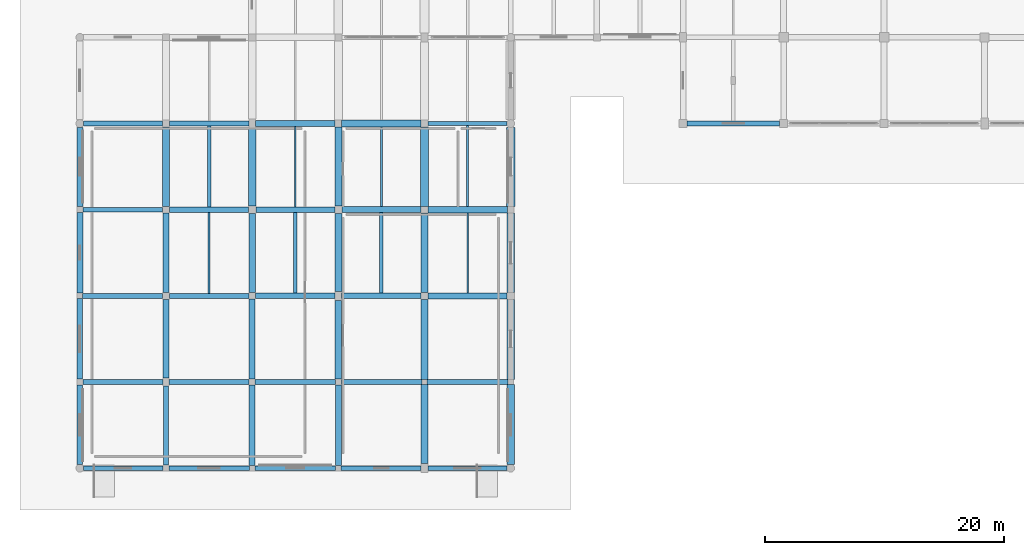
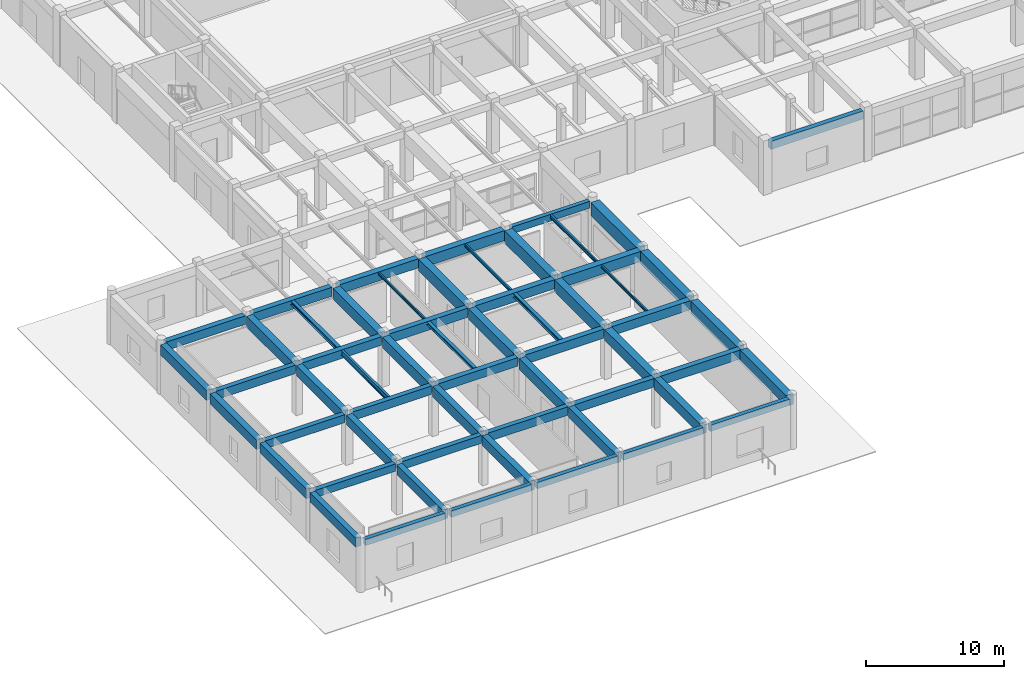
# One storey, part 4 of 72: 58 beams.
"""IFC4 building model written with IfcOpenShell, lengths in metres."""

from ifc_helpers import new_model, si_unit, direction, frame, origin, origin_2d, place, context, subcontext, project, spatial, rectangle, i_section, extrude, material, material_profile, profile_set, type_object, element, save


model = new_model("IFC4")

# Units and contexts
model_context = context("Model", 3, precision=1e-05, world=origin(), true_north=direction((0.0, 1.0)))
body_context = subcontext(model_context, "Body", "Model", "MODEL_VIEW")
ifc_project = project(units=[si_unit("LENGTHUNIT", "METRE"), si_unit("AREAUNIT", "SQUARE_METRE"), si_unit("VOLUMEUNIT", "CUBIC_METRE"), si_unit("PLANEANGLEUNIT", "RADIAN"), si_unit("MASSUNIT", "GRAM", prefix="KILO")], contexts=[model_context])

# Site, building, storey
site_placement = place(None, origin())
site = spatial("IfcSite", under=ifc_project, at=site_placement, CompositionType="ELEMENT")
building_placement = place(site_placement, origin())
building = spatial("IfcBuilding", under=site, at=building_placement, Name="Korsvaeld Concert Hall", CompositionType="ELEMENT")
storey_placement = place(building_placement, origin())
storey = spatial("IfcBuildingStorey", under=building, at=storey_placement, Name="L00", CompositionType="ELEMENT", Elevation=0.0)

# Beams
ifc_material_1 = material(Name="Concrete C35/45", Category="concrete")
ifc_material_profile_1 = material_profile(ifc_material_1, rectangle(XDim=0.35009765625, YDim=0.60009765625, at=origin_2d()), Name="RC 350x600")
ifc_profile_set_1 = profile_set([ifc_material_profile_1], Name="Concrete C35/45")
beam_type_1 = type_object("IfcBeamType", Name="BM-RC-350x600", PredefinedType="T_BEAM", material=ifc_profile_set_1)
beam_1_placement = place(storey_placement, frame((29.10009765625, 28.800048828125, 4.139892578125), z_axis=(1.0, 0.0, 0.0), x_axis=(0.0, 1.0, 0.0)))
element("IfcBeam", 1, at=beam_1_placement, inside=storey, type_object=beam_type_1, Name="Primary girder 5-6/E L00", PredefinedType="T_BEAM", context=body_context, shape_type="SweptSolid", body=[
    extrude(rectangle(XDim=0.35009765625, YDim=0.60009765625, at=origin_2d()), origin(), (0.0, 0.0, 1.0), 6.574951171875),
])
ifc_material_profile_2 = material_profile(ifc_material_1, rectangle(XDim=0.39990234375, YDim=0.64990234375, at=origin_2d()), Name="RC 400x650")
ifc_profile_set_2 = profile_set([ifc_material_profile_2], Name="Concrete C35/45")
beam_type_2 = type_object("IfcBeamType", Name="BM-RC-400x650", PredefinedType="T_BEAM", material=ifc_profile_set_2)
beam_2_placement = place(storey_placement, frame((0.25, 7.199951171875, 4.114990234375), z_axis=(1.0, 0.0, 0.0), x_axis=(0.0, 1.0, 0.0)))
element("IfcBeam", 2, at=beam_2_placement, inside=storey, type_object=beam_type_2, Name="Primary girder 1-2/B L00", PredefinedType="T_BEAM", context=body_context, shape_type="SweptSolid", body=[
    extrude(rectangle(XDim=0.39990234375, YDim=0.64990234375, at=origin_2d()), origin(), (0.0, 0.0, 1.0), 6.699951171875),
])
ifc_material_profile_3 = material_profile(ifc_material_1, rectangle(XDim=0.39990234375, YDim=0.699951171875, at=origin_2d()), Name="RC 400x700")
ifc_profile_set_3 = profile_set([ifc_material_profile_3], Name="Concrete C35/45")
beam_type_3 = type_object("IfcBeamType", Name="BM-RC-400x700", PredefinedType="T_BEAM", material=ifc_profile_set_3)
beam_3_placement = place(storey_placement, frame((7.449951171875, 7.199951171875, 4.090087890625), z_axis=(1.0, 0.0, 0.0), x_axis=(0.0, 1.0, 0.0)))
element("IfcBeam", 3, at=beam_3_placement, inside=storey, type_object=beam_type_3, Name="Primary girder 2-3/B L00", PredefinedType="T_BEAM", context=body_context, shape_type="SweptSolid", body=[
    extrude(rectangle(XDim=0.39990234375, YDim=0.699951171875, at=origin_2d()), origin(), (0.0, 0.0, 1.0), 6.699951171875),
])
beam_4_placement = place(storey_placement, frame((0.22509765625, 14.39990234375, 4.090087890625), z_axis=(1.0, 0.0, 0.0), x_axis=(0.0, 1.0, 0.0)))
element("IfcBeam", 4, at=beam_4_placement, inside=storey, type_object=beam_type_3, Name="Primary girder 1-2/C L00", PredefinedType="T_BEAM", context=body_context, shape_type="SweptSolid", body=[
    extrude(rectangle(XDim=0.39990234375, YDim=0.699951171875, at=origin_2d()), origin(), (0.0, 0.0, 1.0), 6.6748046875),
])
beam_5_placement = place(storey_placement, frame((50.75, 28.800048828125, 4.090087890625), z_axis=(1.0, 0.0, 0.0), x_axis=(0.0, 1.0, 0.0)))
element("IfcBeam", 5, at=beam_5_placement, inside=storey, type_object=beam_type_3, Name="Primary girder 8-9/E L00", PredefinedType="T_BEAM", context=body_context, shape_type="SweptSolid", body=[
    extrude(rectangle(XDim=0.39990234375, YDim=0.699951171875, at=origin_2d()), origin(), (0.0, 0.0, 1.0), 7.72509765625),
])
ifc_material_profile_4 = material_profile(ifc_material_1, rectangle(XDim=0.39990234375, YDim=0.75, at=origin_2d()), Name="RC 400x750")
ifc_profile_set_4 = profile_set([ifc_material_profile_4], Name="Concrete C35/45")
beam_type_4 = type_object("IfcBeamType", Name="BM-RC-400x750", PredefinedType="T_BEAM", material=ifc_profile_set_4)
beam_6_placement = place(storey_placement, frame((14.64990234375, 7.199951171875, 4.06494140625), z_axis=(1.0, 0.0, 0.0), x_axis=(0.0, 1.0, 0.0)))
element("IfcBeam", 6, at=beam_6_placement, inside=storey, type_object=beam_type_4, Name="Primary girder 3-4/B L00", PredefinedType="T_BEAM", context=body_context, shape_type="SweptSolid", body=[
    extrude(rectangle(XDim=0.39990234375, YDim=0.75, at=origin_2d()), origin(), (0.0, 0.0, 1.0), 6.7001953125),
])
beam_7_placement = place(storey_placement, frame((7.5, 14.39990234375, 4.06494140625), z_axis=(1.0, 0.0, 0.0), x_axis=(0.0, 1.0, 0.0)))
element("IfcBeam", 7, at=beam_7_placement, inside=storey, type_object=beam_type_4, Name="Primary girder 2-3/C L00", PredefinedType="T_BEAM", context=body_context, shape_type="SweptSolid", body=[
    extrude(rectangle(XDim=0.39990234375, YDim=0.75, at=origin_2d()), origin(), (0.0, 0.0, 1.0), 6.625),
])
beam_8_placement = place(storey_placement, frame((0.25, 21.60009765625, 4.06494140625), z_axis=(1.0, 0.0, 0.0), x_axis=(0.0, 1.0, 0.0)))
element("IfcBeam", 8, at=beam_8_placement, inside=storey, type_object=beam_type_4, Name="Primary girder 1-2/D L00", PredefinedType="T_BEAM", context=body_context, shape_type="SweptSolid", body=[
    extrude(rectangle(XDim=0.39990234375, YDim=0.75, at=origin_2d()), origin(), (0.0, 0.0, 1.0), 6.675048828125),
])
ifc_material_profile_5 = material_profile(ifc_material_1, rectangle(XDim=0.449951171875, YDim=0.75, at=origin_2d()), Name="RC 450x750")
ifc_profile_set_5 = profile_set([ifc_material_profile_5], Name="Concrete C35/45")
beam_type_5 = type_object("IfcBeamType", Name="BM-RC-450x750", PredefinedType="T_BEAM", material=ifc_profile_set_5)
beam_9_placement = place(storey_placement, frame((21.85009765625, 7.199951171875, 4.06494140625), z_axis=(1.0, 0.0, 0.0), x_axis=(0.0, 1.0, 0.0)))
element("IfcBeam", 9, at=beam_9_placement, inside=storey, type_object=beam_type_5, Name="Primary girder 4-5/B L00", PredefinedType="T_BEAM", context=body_context, shape_type="SweptSolid", body=[
    extrude(rectangle(XDim=0.449951171875, YDim=0.75, at=origin_2d()), origin(), (0.0, 0.0, 1.0), 6.724853515625),
])
beam_10_placement = place(storey_placement, frame((14.675048828125, 14.39990234375, 4.06494140625), z_axis=(1.0, 0.0, 0.0), x_axis=(0.0, 1.0, 0.0)))
element("IfcBeam", 10, at=beam_10_placement, inside=storey, type_object=beam_type_5, Name="Primary girder 3-4/C L00", PredefinedType="T_BEAM", context=body_context, shape_type="SweptSolid", body=[
    extrude(rectangle(XDim=0.449951171875, YDim=0.75, at=origin_2d()), origin(), (0.0, 0.0, 1.0), 6.64990234375),
])
beam_11_placement = place(storey_placement, frame((7.47509765625, 21.60009765625, 4.06494140625), z_axis=(1.0, 0.0, 0.0), x_axis=(0.0, 1.0, 0.0)))
element("IfcBeam", 11, at=beam_11_placement, inside=storey, type_object=beam_type_5, Name="Primary girder 2-3/D L00", PredefinedType="T_BEAM", context=body_context, shape_type="SweptSolid", body=[
    extrude(rectangle(XDim=0.449951171875, YDim=0.75, at=origin_2d()), origin(), (0.0, 0.0, 1.0), 6.625),
])
beam_12_placement = place(storey_placement, frame((0.324951171875, 28.800048828125, 4.06494140625), z_axis=(1.0, 0.0, 0.0), x_axis=(0.0, 1.0, 0.0)))
element("IfcBeam", 12, at=beam_12_placement, inside=storey, type_object=beam_type_5, Name="Primary girder 1-2/E L00", PredefinedType="T_BEAM", context=body_context, shape_type="SweptSolid", body=[
    extrude(rectangle(XDim=0.449951171875, YDim=0.75, at=origin_2d()), origin(), (0.0, 0.0, 1.0), 6.574951171875),
])
ifc_material_profile_6 = material_profile(ifc_material_1, rectangle(XDim=0.449951171875, YDim=0.800048828125, at=origin_2d()), Name="RC 450x800")
ifc_profile_set_6 = profile_set([ifc_material_profile_6], Name="Concrete C35/45")
beam_type_6 = type_object("IfcBeamType", Name="BM-RC-450x800", PredefinedType="T_BEAM", material=ifc_profile_set_6)
beam_13_placement = place(storey_placement, frame((29.02490234375, 7.199951171875, 4.0400390625), z_axis=(1.0, 0.0, 0.0), x_axis=(0.0, 1.0, 0.0)))
element("IfcBeam", 13, at=beam_13_placement, inside=storey, type_object=beam_type_6, Name="Primary girder 5-6/B L00", PredefinedType="T_BEAM", context=body_context, shape_type="SweptSolid", body=[
    extrude(rectangle(XDim=0.449951171875, YDim=0.800048828125, at=origin_2d()), origin(), (0.0, 0.0, 1.0), 6.75),
])
beam_14_placement = place(storey_placement, frame((21.875, 14.39990234375, 4.0400390625), z_axis=(1.0, 0.0, 0.0), x_axis=(0.0, 1.0, 0.0)))
element("IfcBeam", 14, at=beam_14_placement, inside=storey, type_object=beam_type_6, Name="Primary girder 4-5/C L00", PredefinedType="T_BEAM", context=body_context, shape_type="SweptSolid", body=[
    extrude(rectangle(XDim=0.449951171875, YDim=0.800048828125, at=origin_2d()), origin(), (0.0, 0.0, 1.0), 6.625),
])
beam_15_placement = place(storey_placement, frame((14.699951171875, 21.60009765625, 4.0400390625), z_axis=(1.0, 0.0, 0.0), x_axis=(0.0, 1.0, 0.0)))
element("IfcBeam", 15, at=beam_15_placement, inside=storey, type_object=beam_type_6, Name="Primary girder 3-4/D L00", PredefinedType="T_BEAM", context=body_context, shape_type="SweptSolid", body=[
    extrude(rectangle(XDim=0.449951171875, YDim=0.800048828125, at=origin_2d()), origin(), (0.0, 0.0, 1.0), 6.60009765625),
])
for number, where, z_axis, x_axis, name in (
    (16, (7.5, 28.800048828125, 4.0400390625), (1.0, 0.0, 0.0), (0.0, 1.0, 0.0), "Primary girder 2-3/E L00"),
    (17, (0.0, 0.324951171875, 4.0400390625), (0.0, 1.0, 0.0), (-1.0, 0.0, 0.0), "Primary girder 1/A-B L00"),
):
    element("IfcBeam", number, at=place(storey_placement, frame(where, z_axis=z_axis, x_axis=x_axis)), inside=storey, type_object=beam_type_6, Name=name, PredefinedType="T_BEAM", context=body_context, shape_type="SweptSolid", body=[
        extrude(rectangle(XDim=0.449951171875, YDim=0.800048828125, at=origin_2d()), origin(), (0.0, 0.0, 1.0), 6.625),
    ])
ifc_material_2 = material(Name="Concrete C40/50", Category="concrete")
ifc_material_profile_7 = material_profile(ifc_material_2, rectangle(XDim=0.449951171875, YDim=0.85009765625, at=origin_2d()), Name="RC 450x850")
ifc_profile_set_7 = profile_set([ifc_material_profile_7], Name="Concrete C40/50")
beam_type_7 = type_object("IfcBeamType", Name="BM-RC-450x850", PredefinedType="T_BEAM", material=ifc_profile_set_7)
beam_16_placement = place(storey_placement, frame((0.0, 7.449951171875, 4.014892578125), z_axis=(0.0, 1.0, 0.0), x_axis=(-1.0, 0.0, 0.0)))
element("IfcBeam", 18, at=beam_16_placement, inside=storey, type_object=beam_type_7, Name="Primary girder 1/B-C L00", PredefinedType="T_BEAM", context=body_context, shape_type="SweptSolid", body=[
    extrude(rectangle(XDim=0.449951171875, YDim=0.85009765625, at=origin_2d()), origin(), (0.0, 0.0, 1.0), 6.72509765625),
])
beam_17_placement = place(storey_placement, frame((7.199951171875, 0.25, 4.014892578125), z_axis=(0.0, 1.0, 0.0), x_axis=(-1.0, 0.0, 0.0)))
element("IfcBeam", 19, at=beam_17_placement, inside=storey, type_object=beam_type_7, Name="Primary girder 2/A-B L00", PredefinedType="T_BEAM", context=body_context, shape_type="SweptSolid", body=[
    extrude(rectangle(XDim=0.449951171875, YDim=0.85009765625, at=origin_2d()), origin(), (0.0, 0.0, 1.0), 6.60009765625),
])
ifc_material_profile_8 = material_profile(ifc_material_2, rectangle(XDim=0.5, YDim=0.800048828125, at=origin_2d()), Name="RC 500x800")
ifc_profile_set_8 = profile_set([ifc_material_profile_8], Name="Concrete C40/50")
beam_type_8 = type_object("IfcBeamType", Name="BM-RC-500x800", PredefinedType="T_BEAM", material=ifc_profile_set_8)
beam_18_placement = place(storey_placement, frame((29.10009765625, 14.39990234375, 4.0400390625), z_axis=(1.0, 0.0, 0.0), x_axis=(0.0, 1.0, 0.0)))
element("IfcBeam", 20, at=beam_18_placement, inside=storey, type_object=beam_type_8, Name="Primary girder 5-6/C L00", PredefinedType="T_BEAM", context=body_context, shape_type="SweptSolid", body=[
    extrude(rectangle(XDim=0.5, YDim=0.800048828125, at=origin_2d()), origin(), (0.0, 0.0, 1.0), 6.599853515625),
])
beam_19_placement = place(storey_placement, frame((21.89990234375, 21.60009765625, 4.0400390625), z_axis=(1.0, 0.0, 0.0), x_axis=(0.0, 1.0, 0.0)))
element("IfcBeam", 21, at=beam_19_placement, inside=storey, type_object=beam_type_8, Name="Primary girder 4-5/D L00", PredefinedType="T_BEAM", context=body_context, shape_type="SweptSolid", body=[
    extrude(rectangle(XDim=0.5, YDim=0.800048828125, at=origin_2d()), origin(), (0.0, 0.0, 1.0), 6.625),
])
beam_20_placement = place(storey_placement, frame((14.675048828125, 28.800048828125, 4.0400390625), z_axis=(1.0, 0.0, 0.0), x_axis=(0.0, 1.0, 0.0)))
element("IfcBeam", 22, at=beam_20_placement, inside=storey, type_object=beam_type_8, Name="Primary girder 3-4/E L00", PredefinedType="T_BEAM", context=body_context, shape_type="SweptSolid", body=[
    extrude(rectangle(XDim=0.5, YDim=0.800048828125, at=origin_2d()), origin(), (0.0, 0.0, 1.0), 6.64990234375),
])
ifc_material_profile_9 = material_profile(ifc_material_2, rectangle(XDim=0.5, YDim=0.85009765625, at=origin_2d()), Name="RC 500x850")
ifc_profile_set_9 = profile_set([ifc_material_profile_9], Name="Concrete C40/50")
beam_type_9 = type_object("IfcBeamType", Name="BM-RC-500x850", PredefinedType="T_BEAM", material=ifc_profile_set_9)
beam_21_placement = place(storey_placement, frame((0.0, 14.625, 4.014892578125), z_axis=(0.0, 1.0, 0.0), x_axis=(-1.0, 0.0, 0.0)))
element("IfcBeam", 23, at=beam_21_placement, inside=storey, type_object=beam_type_9, Name="Primary girder 1/C-D L00", PredefinedType="T_BEAM", context=body_context, shape_type="SweptSolid", body=[
    extrude(rectangle(XDim=0.5, YDim=0.85009765625, at=origin_2d()), origin(), (0.0, 0.0, 1.0), 6.72509765625),
])
beam_22_placement = place(storey_placement, frame((7.199951171875, 7.550048828125, 4.014892578125), z_axis=(0.0, 1.0, 0.0), x_axis=(-1.0, 0.0, 0.0)))
element("IfcBeam", 24, at=beam_22_placement, inside=storey, type_object=beam_type_9, Name="Primary girder 2/B-C L00", PredefinedType="T_BEAM", context=body_context, shape_type="SweptSolid", body=[
    extrude(rectangle(XDim=0.5, YDim=0.85009765625, at=origin_2d()), origin(), (0.0, 0.0, 1.0), 6.550048828125),
])
beam_23_placement = place(storey_placement, frame((14.39990234375, 0.22509765625, 4.014892578125), z_axis=(0.0, 1.0, 0.0), x_axis=(-1.0, 0.0, 0.0)))
element("IfcBeam", 25, at=beam_23_placement, inside=storey, type_object=beam_type_9, Name="Primary girder 3/A-B L00", PredefinedType="T_BEAM", context=body_context, shape_type="SweptSolid", body=[
    extrude(rectangle(XDim=0.5, YDim=0.85009765625, at=origin_2d()), origin(), (0.0, 0.0, 1.0), 6.724853515625),
])
ifc_material_profile_10 = material_profile(ifc_material_2, rectangle(XDim=0.5, YDim=0.89990234375, at=origin_2d()), Name="RC 500x900")
ifc_profile_set_10 = profile_set([ifc_material_profile_10], Name="Concrete C40/50")
beam_type_10 = type_object("IfcBeamType", Name="BM-RC-500x900", PredefinedType="T_BEAM", material=ifc_profile_set_10)
for number, where, z_axis, x_axis, name in (
    (26, (0.0, 21.85009765625, 3.989990234375), (0.0, 1.0, 0.0), (-1.0, 0.0, 0.0), "Primary girder 1/D-E L00"),
    (27, (7.199951171875, 14.699951171875, 3.989990234375), (0.0, 1.0, 0.0), (-1.0, 0.0, 0.0), "Primary girder 2/C-D L00"),
):
    element("IfcBeam", number, at=place(storey_placement, frame(where, z_axis=z_axis, x_axis=x_axis)), inside=storey, type_object=beam_type_10, Name=name, PredefinedType="T_BEAM", context=body_context, shape_type="SweptSolid", body=[
        extrude(rectangle(XDim=0.5, YDim=0.89990234375, at=origin_2d()), origin(), (0.0, 0.0, 1.0), 6.625),
    ])
beam_24_placement = place(storey_placement, frame((14.39990234375, 7.449951171875, 3.989990234375), z_axis=(0.0, 1.0, 0.0), x_axis=(-1.0, 0.0, 0.0)))
element("IfcBeam", 28, at=beam_24_placement, inside=storey, type_object=beam_type_10, Name="Primary girder 3/B-C L00", PredefinedType="T_BEAM", context=body_context, shape_type="SweptSolid", body=[
    extrude(rectangle(XDim=0.5, YDim=0.89990234375, at=origin_2d()), origin(), (0.0, 0.0, 1.0), 6.675048828125),
])
beam_25_placement = place(storey_placement, frame((21.60009765625, 0.22509765625, 3.989990234375), z_axis=(0.0, 1.0, 0.0), x_axis=(-1.0, 0.0, 0.0)))
element("IfcBeam", 29, at=beam_25_placement, inside=storey, type_object=beam_type_10, Name="Primary girder 4/A-B L00", PredefinedType="T_BEAM", context=body_context, shape_type="SweptSolid", body=[
    extrude(rectangle(XDim=0.5, YDim=0.89990234375, at=origin_2d()), origin(), (0.0, 0.0, 1.0), 6.724853515625),
])
ifc_material_profile_11 = material_profile(ifc_material_2, rectangle(XDim=0.550048828125, YDim=0.89990234375, at=origin_2d()), Name="RC 550x900")
ifc_profile_set_11 = profile_set([ifc_material_profile_11], Name="Concrete C40/50")
beam_type_11 = type_object("IfcBeamType", Name="BM-RC-550x900", PredefinedType="T_BEAM", material=ifc_profile_set_11)
beam_26_placement = place(storey_placement, frame((29.074951171875, 21.60009765625, 3.989990234375), z_axis=(1.0, 0.0, 0.0), x_axis=(0.0, 1.0, 0.0)))
element("IfcBeam", 30, at=beam_26_placement, inside=storey, type_object=beam_type_11, Name="Primary girder 5-6/D L00", PredefinedType="T_BEAM", context=body_context, shape_type="SweptSolid", body=[
    extrude(rectangle(XDim=0.550048828125, YDim=0.89990234375, at=origin_2d()), origin(), (0.0, 0.0, 1.0), 6.650146484375),
])
beam_27_placement = place(storey_placement, frame((21.875, 28.800048828125, 3.989990234375), z_axis=(1.0, 0.0, 0.0), x_axis=(0.0, 1.0, 0.0)))
element("IfcBeam", 31, at=beam_27_placement, inside=storey, type_object=beam_type_11, Name="Primary girder 4-5/E L00", PredefinedType="T_BEAM", context=body_context, shape_type="SweptSolid", body=[
    extrude(rectangle(XDim=0.550048828125, YDim=0.89990234375, at=origin_2d()), origin(), (0.0, 0.0, 1.0), 6.625),
])
ifc_material_profile_12 = material_profile(ifc_material_2, rectangle(XDim=0.550048828125, YDim=0.949951171875, at=origin_2d()), Name="RC 550x950")
ifc_profile_set_12 = profile_set([ifc_material_profile_12], Name="Concrete C40/50")
beam_type_12 = type_object("IfcBeamType", Name="BM-RC-550x950", PredefinedType="T_BEAM", material=ifc_profile_set_12)
for number, where, z_axis, x_axis, name in (
    (32, (7.199951171875, 21.875, 3.965087890625), (0.0, 1.0, 0.0), (-1.0, 0.0, 0.0), "Primary girder 2/D-E L00"),
    (33, (14.39990234375, 14.675048828125, 3.965087890625), (0.0, 1.0, 0.0), (-1.0, 0.0, 0.0), "Primary girder 3/C-D L00"),
):
    element("IfcBeam", number, at=place(storey_placement, frame(where, z_axis=z_axis, x_axis=x_axis)), inside=storey, type_object=beam_type_12, Name=name, PredefinedType="T_BEAM", context=body_context, shape_type="SweptSolid", body=[
        extrude(rectangle(XDim=0.550048828125, YDim=0.949951171875, at=origin_2d()), origin(), (0.0, 0.0, 1.0), 6.625),
    ])
beam_28_placement = place(storey_placement, frame((21.60009765625, 7.449951171875, 3.965087890625), z_axis=(0.0, 1.0, 0.0), x_axis=(-1.0, 0.0, 0.0)))
element("IfcBeam", 34, at=beam_28_placement, inside=storey, type_object=beam_type_12, Name="Primary girder 4/B-C L00", PredefinedType="T_BEAM", context=body_context, shape_type="SweptSolid", body=[
    extrude(rectangle(XDim=0.550048828125, YDim=0.949951171875, at=origin_2d()), origin(), (0.0, 0.0, 1.0), 6.574951171875),
])
beam_29_placement = place(storey_placement, frame((28.800048828125, 0.375, 3.965087890625), z_axis=(0.0, 1.0, 0.0), x_axis=(-1.0, 0.0, 0.0)))
element("IfcBeam", 35, at=beam_29_placement, inside=storey, type_object=beam_type_12, Name="Primary girder 5/A-B L00", PredefinedType="T_BEAM", context=body_context, shape_type="SweptSolid", body=[
    extrude(rectangle(XDim=0.550048828125, YDim=0.949951171875, at=origin_2d()), origin(), (0.0, 0.0, 1.0), 6.60009765625),
])
ifc_material_profile_13 = material_profile(ifc_material_2, rectangle(XDim=0.60009765625, YDim=1.050048828125, at=origin_2d()), Name="RC 600x1050")
ifc_profile_set_13 = profile_set([ifc_material_profile_13], Name="Concrete C40/50")
beam_type_13 = type_object("IfcBeamType", Name="BM-RC-600x1050", PredefinedType="T_BEAM", material=ifc_profile_set_13)
for number, where, z_axis, x_axis, name in (
    (36, (21.60009765625, 21.89990234375, 3.9150390625), (0.0, 1.0, 0.0), (-1.0, 0.0, 0.0), "Primary girder 4/D-E L00"),
    (37, (28.800048828125, 14.699951171875, 3.9150390625), (0.0, 1.0, 0.0), (-1.0, 0.0, 0.0), "Primary girder 5/C-D L00"),
):
    element("IfcBeam", number, at=place(storey_placement, frame(where, z_axis=z_axis, x_axis=x_axis)), inside=storey, type_object=beam_type_13, Name=name, PredefinedType="T_BEAM", context=body_context, shape_type="SweptSolid", body=[
        extrude(rectangle(XDim=0.60009765625, YDim=1.050048828125, at=origin_2d()), origin(), (0.0, 0.0, 1.0), 6.625),
    ])
beam_30_placement = place(storey_placement, frame((36.0, 7.425048828125, 3.9150390625), z_axis=(0.0, 1.0, 0.0), x_axis=(-1.0, 0.0, 0.0)))
element("IfcBeam", 38, at=beam_30_placement, inside=storey, type_object=beam_type_13, Name="Primary girder 6/B-C L00", PredefinedType="T_BEAM", context=body_context, shape_type="SweptSolid", body=[
    extrude(rectangle(XDim=0.60009765625, YDim=1.050048828125, at=origin_2d()), origin(), (0.0, 0.0, 1.0), 6.675048828125),
])
ifc_material_profile_14 = material_profile(ifc_material_2, rectangle(XDim=0.60009765625, YDim=0.949951171875, at=origin_2d()), Name="RC 600x950")
ifc_profile_set_14 = profile_set([ifc_material_profile_14], Name="Concrete C40/50")
beam_type_14 = type_object("IfcBeamType", Name="BM-RC-600x950", PredefinedType="T_BEAM", material=ifc_profile_set_14)
for number, where, z_axis, x_axis, name in (
    (39, (14.39990234375, 21.89990234375, 3.965087890625), (0.0, 1.0, 0.0), (-1.0, 0.0, 0.0), "Primary girder 3/D-E L00"),
    (40, (21.60009765625, 14.77490234375, 3.965087890625), (0.0, 1.0, 0.0), (-1.0, 0.0, 0.0), "Primary girder 4/C-D L00"),
):
    element("IfcBeam", number, at=place(storey_placement, frame(where, z_axis=z_axis, x_axis=x_axis)), inside=storey, type_object=beam_type_14, Name=name, PredefinedType="T_BEAM", context=body_context, shape_type="SweptSolid", body=[
        extrude(rectangle(XDim=0.60009765625, YDim=0.949951171875, at=origin_2d()), origin(), (0.0, 0.0, 1.0), 6.525146484375),
    ])
beam_31_placement = place(storey_placement, frame((28.800048828125, 7.425048828125, 3.965087890625), z_axis=(0.0, 1.0, 0.0), x_axis=(-1.0, 0.0, 0.0)))
element("IfcBeam", 41, at=beam_31_placement, inside=storey, type_object=beam_type_14, Name="Primary girder 5/B-C L00", PredefinedType="T_BEAM", context=body_context, shape_type="SweptSolid", body=[
    extrude(rectangle(XDim=0.60009765625, YDim=0.949951171875, at=origin_2d()), origin(), (0.0, 0.0, 1.0), 6.675048828125),
])
beam_32_placement = place(storey_placement, frame((36.0, 0.324951171875, 3.965087890625), z_axis=(0.0, 1.0, 0.0), x_axis=(-1.0, 0.0, 0.0)))
element("IfcBeam", 42, at=beam_32_placement, inside=storey, type_object=beam_type_14, Name="Primary girder 6/A-B L00", PredefinedType="T_BEAM", context=body_context, shape_type="SweptSolid", body=[
    extrude(rectangle(XDim=0.60009765625, YDim=0.949951171875, at=origin_2d()), origin(), (0.0, 0.0, 1.0), 6.650146484375),
])
ifc_material_profile_15 = material_profile(ifc_material_2, rectangle(XDim=0.64990234375, YDim=1.10009765625, at=origin_2d()), Name="RC 650x1100")
ifc_profile_set_15 = profile_set([ifc_material_profile_15], Name="Concrete C40/50")
beam_type_15 = type_object("IfcBeamType", Name="BM-RC-650x1100", PredefinedType="T_BEAM", material=ifc_profile_set_15)
for number, where, z_axis, x_axis, name in (
    (43, (28.800048828125, 21.875, 3.889892578125), (0.0, 1.0, 0.0), (-1.0, 0.0, 0.0), "Primary girder 5/D-E L00"),
    (44, (36.0, 14.699951171875, 3.889892578125), (0.0, 1.0, 0.0), (-1.0, 0.0, 0.0), "Primary girder 6/C-D L00"),
):
    element("IfcBeam", number, at=place(storey_placement, frame(where, z_axis=z_axis, x_axis=x_axis)), inside=storey, type_object=beam_type_15, Name=name, PredefinedType="T_BEAM", context=body_context, shape_type="SweptSolid", body=[
        extrude(rectangle(XDim=0.64990234375, YDim=1.10009765625, at=origin_2d()), origin(), (0.0, 0.0, 1.0), 6.625),
    ])
ifc_material_profile_16 = material_profile(ifc_material_2, rectangle(XDim=0.699951171875, YDim=1.14990234375, at=origin_2d()), Name="RC 700x1150")
ifc_profile_set_16 = profile_set([ifc_material_profile_16], Name="Concrete C40/50")
beam_type_16 = type_object("IfcBeamType", Name="BM-RC-700x1150", PredefinedType="T_BEAM", material=ifc_profile_set_16)
beam_33_placement = place(storey_placement, frame((36.0, 21.875, 3.864990234375), z_axis=(0.0, 1.0, 0.0), x_axis=(-1.0, 0.0, 0.0)))
element("IfcBeam", 45, at=beam_33_placement, inside=storey, type_object=beam_type_16, Name="Primary girder 6/D-E L00", PredefinedType="T_BEAM", context=body_context, shape_type="SweptSolid", body=[
    extrude(rectangle(XDim=0.699951171875, YDim=1.14990234375, at=origin_2d()), origin(), (0.0, 0.0, 1.0), 6.60009765625),
])
ifc_material_profile_17 = material_profile(ifc_material_1, rectangle(XDim=0.35009765625, YDim=0.550048828125, at=origin_2d()), Name="RC 350x550")
ifc_profile_set_17 = profile_set([ifc_material_profile_17], Name="Concrete C35/45")
beam_type_17 = type_object("IfcBeamType", Name="BM-SP-350x550", PredefinedType="SPANDREL", material=ifc_profile_set_17)
beam_34_placement = place(storey_placement, frame((0.324951171875, 0.0, 4.1650390625), z_axis=(1.0, 0.0, 0.0), x_axis=(0.0, 1.0, 0.0)))
element("IfcBeam", 46, at=beam_34_placement, inside=storey, type_object=beam_type_17, Name="Primary girder 1-2/A L00", PredefinedType="SPANDREL", context=body_context, shape_type="SweptSolid", body=[
    extrude(rectangle(XDim=0.35009765625, YDim=0.550048828125, at=origin_2d()), origin(), (0.0, 0.0, 1.0), 6.625),
])
beam_35_placement = place(storey_placement, frame((7.449951171875, 0.0, 4.1650390625), z_axis=(1.0, 0.0, 0.0), x_axis=(0.0, 1.0, 0.0)))
element("IfcBeam", 47, at=beam_35_placement, inside=storey, type_object=beam_type_17, Name="Primary girder 2-3/A L00", PredefinedType="SPANDREL", context=body_context, shape_type="SweptSolid", body=[
    extrude(rectangle(XDim=0.35009765625, YDim=0.550048828125, at=origin_2d()), origin(), (0.0, 0.0, 1.0), 6.72509765625),
])
beam_36_placement = place(storey_placement, frame((14.625, 0.0, 4.1650390625), z_axis=(1.0, 0.0, 0.0), x_axis=(0.0, 1.0, 0.0)))
element("IfcBeam", 48, at=beam_36_placement, inside=storey, type_object=beam_type_17, Name="Primary girder 3-4/A L00", PredefinedType="SPANDREL", context=body_context, shape_type="SweptSolid", body=[
    extrude(rectangle(XDim=0.35009765625, YDim=0.550048828125, at=origin_2d()), origin(), (0.0, 0.0, 1.0), 6.75),
])
beam_37_placement = place(storey_placement, frame((21.824951171875, 0.0, 4.1650390625), z_axis=(1.0, 0.0, 0.0), x_axis=(0.0, 1.0, 0.0)))
element("IfcBeam", 49, at=beam_37_placement, inside=storey, type_object=beam_type_17, Name="Primary girder 4-5/A L00", PredefinedType="SPANDREL", context=body_context, shape_type="SweptSolid", body=[
    extrude(rectangle(XDim=0.35009765625, YDim=0.550048828125, at=origin_2d()), origin(), (0.0, 0.0, 1.0), 6.699951171875),
])
beam_38_placement = place(storey_placement, frame((29.074951171875, 0.0, 4.1650390625), z_axis=(1.0, 0.0, 0.0), x_axis=(0.0, 1.0, 0.0)))
element("IfcBeam", 50, at=beam_38_placement, inside=storey, type_object=beam_type_17, Name="Primary girder 5-6/A L00", PredefinedType="SPANDREL", context=body_context, shape_type="SweptSolid", body=[
    extrude(rectangle(XDim=0.35009765625, YDim=0.550048828125, at=origin_2d()), origin(), (0.0, 0.0, 1.0), 6.60009765625),
])
ifc_material_3 = material(Name="Steel S355J2", Category="steel")
ifc_material_profile_18 = material_profile(ifc_material_3, i_section(OverallWidth=0.280029296875, OverallDepth=0.27001953125, WebThickness=0.008056640625, FlangeThickness=0.012939453125, FilletRadius=0.02392578125, at=origin_2d()), Name="HEA 280")
ifc_profile_set_18 = profile_set([ifc_material_profile_18], Name="Steel S355J2")
beam_type_18 = type_object("IfcBeamType", Name="BM-STL-HEA280", PredefinedType="BEAM", material=ifc_profile_set_18)
beam_39_placement = place(storey_placement, frame((18.0, 14.625, 4.304931640625), z_axis=(0.0, 1.0, 0.0), x_axis=(-1.0, 0.0, 0.0)))
element("IfcBeam", 51, at=beam_39_placement, inside=storey, type_object=beam_type_18, Name="Secondary steel floor beam 3-4/C L00", PredefinedType="BEAM", context=body_context, shape_type="SweptSolid", body=[
    extrude(i_section(OverallWidth=0.280029296875, OverallDepth=0.27001953125, WebThickness=0.008056640625, FlangeThickness=0.012939453125, FilletRadius=0.02392578125, at=origin_2d()), origin(), (0.0, 0.0, 1.0), 6.75),
])
ifc_material_profile_19 = material_profile(ifc_material_3, i_section(OverallWidth=0.300048828125, OverallDepth=0.35009765625, WebThickness=0.010009765625, FlangeThickness=0.017578125, FilletRadius=0.027099609375, at=origin_2d()), Name="HEA 360")
ifc_profile_set_19 = profile_set([ifc_material_profile_19], Name="Steel S355J2")
beam_type_19 = type_object("IfcBeamType", Name="BM-STL-HEA360", PredefinedType="BEAM", material=ifc_profile_set_19)
beam_40_placement = place(storey_placement, frame((10.800048828125, 21.824951171875, 4.264892578125), z_axis=(0.0, 1.0, 0.0), x_axis=(-1.0, 0.0, 0.0)))
element("IfcBeam", 52, at=beam_40_placement, inside=storey, type_object=beam_type_19, Name="Secondary steel floor beam 2-3/D L00", PredefinedType="BEAM", context=body_context, shape_type="SweptSolid", body=[
    extrude(i_section(OverallWidth=0.300048828125, OverallDepth=0.35009765625, WebThickness=0.010009765625, FlangeThickness=0.017578125, FilletRadius=0.027099609375, at=origin_2d()), origin(), (0.0, 0.0, 1.0), 6.75),
])
beam_41_placement = place(storey_placement, frame((25.199951171875, 14.625, 4.264892578125), z_axis=(0.0, 1.0, 0.0), x_axis=(-1.0, 0.0, 0.0)))
element("IfcBeam", 53, at=beam_41_placement, inside=storey, type_object=beam_type_19, Name="Secondary steel floor beam 4-5/C L00", PredefinedType="BEAM", context=body_context, shape_type="SweptSolid", body=[
    extrude(i_section(OverallWidth=0.300048828125, OverallDepth=0.35009765625, WebThickness=0.010009765625, FlangeThickness=0.017578125, FilletRadius=0.027099609375, at=origin_2d()), origin(), (0.0, 0.0, 1.0), 6.72509765625),
])
ifc_material_profile_20 = material_profile(ifc_material_3, i_section(OverallWidth=0.1201171875, OverallDepth=0.239990234375, WebThickness=0.006103515625, FlangeThickness=0.009765625, FilletRadius=0.014892578125, at=origin_2d()), Name="IPE 240")
ifc_profile_set_20 = profile_set([ifc_material_profile_20], Name="Steel S355J2")
beam_type_20 = type_object("IfcBeamType", Name="BM-STL-IPE240", PredefinedType="JOIST", material=ifc_profile_set_20)
beam_42_placement = place(storey_placement, frame((18.0, 21.824951171875, 4.320068359375), z_axis=(0.0, 1.0, 0.0), x_axis=(-1.0, 0.0, 0.0)))
element("IfcBeam", 54, at=beam_42_placement, inside=storey, type_object=beam_type_20, Name="Secondary steel floor beam 3-4/D L00", PredefinedType="JOIST", context=body_context, shape_type="SweptSolid", body=[
    extrude(i_section(OverallWidth=0.1201171875, OverallDepth=0.239990234375, WebThickness=0.006103515625, FlangeThickness=0.009765625, FilletRadius=0.014892578125, at=origin_2d()), origin(), (0.0, 0.0, 1.0), 6.72509765625),
])
beam_43_placement = place(storey_placement, frame((32.39990234375, 14.64990234375, 4.320068359375), z_axis=(0.0, 1.0, 0.0), x_axis=(-1.0, 0.0, 0.0)))
element("IfcBeam", 55, at=beam_43_placement, inside=storey, type_object=beam_type_20, Name="Secondary steel floor beam 5-6/C L00", PredefinedType="JOIST", context=body_context, shape_type="SweptSolid", body=[
    extrude(i_section(OverallWidth=0.1201171875, OverallDepth=0.239990234375, WebThickness=0.006103515625, FlangeThickness=0.009765625, FilletRadius=0.014892578125, at=origin_2d()), origin(), (0.0, 0.0, 1.0), 6.675048828125),
])
ifc_material_profile_21 = material_profile(ifc_material_3, i_section(OverallWidth=0.135009765625, OverallDepth=0.27001953125, WebThickness=0.006591796875, FlangeThickness=0.01025390625, FilletRadius=0.014892578125, at=origin_2d()), Name="IPE 270")
ifc_profile_set_21 = profile_set([ifc_material_profile_21], Name="Steel S355J2")
beam_type_21 = type_object("IfcBeamType", Name="BM-STL-IPE270", PredefinedType="JOIST", material=ifc_profile_set_21)
beam_44_placement = place(storey_placement, frame((25.199951171875, 21.85009765625, 4.304931640625), z_axis=(0.0, 1.0, 0.0), x_axis=(-1.0, 0.0, 0.0)))
element("IfcBeam", 56, at=beam_44_placement, inside=storey, type_object=beam_type_21, Name="Secondary steel floor beam 4-5/D L00", PredefinedType="JOIST", context=body_context, shape_type="SweptSolid", body=[
    extrude(i_section(OverallWidth=0.135009765625, OverallDepth=0.27001953125, WebThickness=0.006591796875, FlangeThickness=0.01025390625, FilletRadius=0.014892578125, at=origin_2d()), origin(), (0.0, 0.0, 1.0), 6.6748046875),
])
ifc_material_profile_22 = material_profile(ifc_material_3, i_section(OverallWidth=0.14990234375, OverallDepth=0.300048828125, WebThickness=0.007080078125, FlangeThickness=0.0107421875, FilletRadius=0.014892578125, at=origin_2d()), Name="IPE 300")
ifc_profile_set_22 = profile_set([ifc_material_profile_22], Name="Steel S355J2")
beam_type_22 = type_object("IfcBeamType", Name="BM-STL-IPE300", PredefinedType="JOIST", material=ifc_profile_set_22)
beam_45_placement = place(storey_placement, frame((32.39990234375, 21.875, 4.2900390625), z_axis=(0.0, 1.0, 0.0), x_axis=(-1.0, 0.0, 0.0)))
element("IfcBeam", 57, at=beam_45_placement, inside=storey, type_object=beam_type_22, Name="Secondary steel floor beam 5-6/D L00", PredefinedType="JOIST", context=body_context, shape_type="SweptSolid", body=[
    extrude(i_section(OverallWidth=0.14990234375, OverallDepth=0.300048828125, WebThickness=0.007080078125, FlangeThickness=0.0107421875, FilletRadius=0.014892578125, at=origin_2d()), origin(), (0.0, 0.0, 1.0), 6.75),
])
ifc_material_profile_23 = material_profile(ifc_material_3, i_section(OverallWidth=0.18994140625, OverallDepth=0.449951171875, WebThickness=0.009521484375, FlangeThickness=0.0146484375, FilletRadius=0.02099609375, at=origin_2d()), Name="IPE 450")
ifc_profile_set_23 = profile_set([ifc_material_profile_23], Name="Steel S355J2")
beam_type_23 = type_object("IfcBeamType", Name="BM-STL-IPE450", PredefinedType="BEAM", material=ifc_profile_set_23)
beam_46_placement = place(storey_placement, frame((10.800048828125, 14.60009765625, 4.215087890625), z_axis=(0.0, 1.0, 0.0), x_axis=(-1.0, 0.0, 0.0)))
element("IfcBeam", 58, at=beam_46_placement, inside=storey, type_object=beam_type_23, Name="Secondary steel floor beam 2-3/C L00", PredefinedType="BEAM", context=body_context, shape_type="SweptSolid", body=[
    extrude(i_section(OverallWidth=0.18994140625, OverallDepth=0.449951171875, WebThickness=0.009521484375, FlangeThickness=0.0146484375, FilletRadius=0.02099609375, at=origin_2d()), origin(), (0.0, 0.0, 1.0), 6.77490234375),
])

save(model, "model.ifc")
